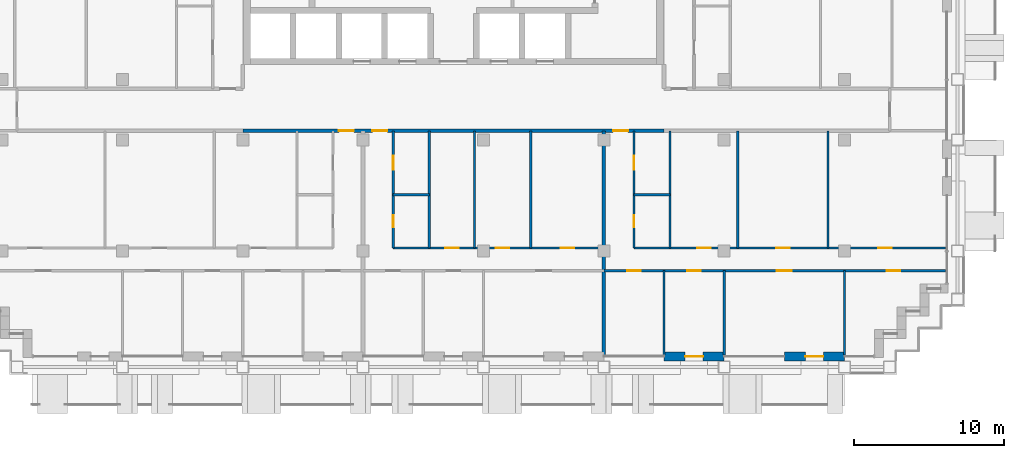
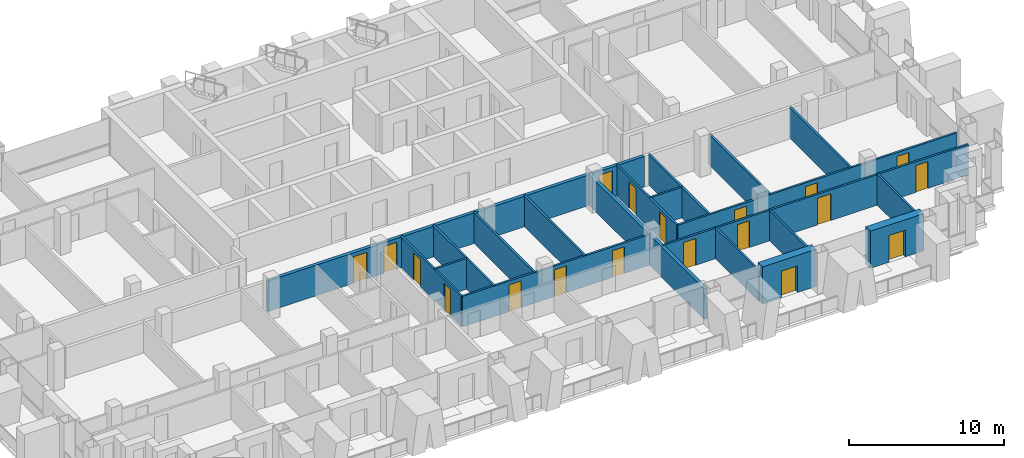
# One storey, part 9 of 16: 20 walls, 19 doors, 19 openings.
"""IFC4 building model written with IfcOpenShell, lengths in metres."""

import ifcopenshell
import ifcopenshell.guid

model = None  # the IFC model being written
_history = None  # IfcOwnerHistory: only IFC2X3 demands one
_inside = {}  # id of a spatial element -> (the spatial element, [elements in it])
_under = {}  # id of a project, library or spatial element -> (it, [spatial elements below it])
_declared = {}  # id of a project -> (the project, [libraries it declares])
_typed = {}  # id of a type object -> (the type object, [elements of that type])
_made_of = {}  # id of a material, layer set ... -> (it, [elements and type objects made of it])


def new_model(schema):
    """Start an empty IFC model of exactly this schema.

    Asked for "IFC4X3", IfcOpenShell would pick the latest addendum, in which some entities
    have other attributes; the version numbers below select the first issue.
    IFC2X3 requires an IfcOwnerHistory on every rooted entity: one is made here for all.
    """
    global model, _history
    if schema == "IFC4X3":
        model = ifcopenshell.file(schema_version=(4, 3, 0, 0))
    else:
        model = ifcopenshell.file(schema=schema)
    _inside.clear()
    _under.clear()
    _declared.clear()
    _typed.clear()
    _made_of.clear()
    _history = None
    if model.schema == "IFC2X3":
        org = make("IfcOrganization", Name="unknown")
        user = make(
            "IfcPersonAndOrganization",
            ThePerson=make("IfcPerson", FamilyName="unknown"),
            TheOrganization=org,
        )
        app = make(
            "IfcApplication",
            ApplicationDeveloper=org,
            Version="unknown",
            ApplicationFullName="unknown",
            ApplicationIdentifier="unknown",
        )
        _history = make(
            "IfcOwnerHistory",
            OwningUser=user,
            OwningApplication=app,
            ChangeAction="ADDED",
            CreationDate=0,
        )
    return model


def make(cls, **values):
    """One entity of the class cls with the attributes given. An attribute that is None is left unset."""
    return model.create_entity(
        cls, **{name: value for name, value in values.items() if value is not None}
    )


def rooted(cls, **values):
    """An entity with a GlobalId (a new one), such as an element, a storey or a relation."""
    return make(cls, GlobalId=ifcopenshell.guid.new(), OwnerHistory=_history, **values)


def si_unit(unit_type, name, prefix=None):
    """IfcSIUnit, for example si_unit("LENGTHUNIT", "METRE", prefix="MILLI")."""
    return make("IfcSIUnit", UnitType=unit_type, Prefix=prefix, Name=name)


def assignment(units):
    """IfcUnitAssignment: the units of a project."""
    return None if units is None else make("IfcUnitAssignment", Units=units)


def point(xyz):
    """IfcCartesianPoint."""
    return None if xyz is None else make("IfcCartesianPoint", Coordinates=xyz)


def direction(xyz):
    """IfcDirection."""
    return None if xyz is None else make("IfcDirection", DirectionRatios=xyz)


def frame(location, z_axis=None, x_axis=None):
    """IfcAxis2Placement3D, a coordinate frame: its origin and axes. An axis left out is left unset."""
    return make(
        "IfcAxis2Placement3D",
        Location=point(location),
        Axis=direction(z_axis),
        RefDirection=direction(x_axis),
    )


def frame_2d(location, x_axis=None):
    """IfcAxis2Placement2D, a coordinate frame in the plane: its origin and x axis."""
    return make(
        "IfcAxis2Placement2D", Location=point(location), RefDirection=direction(x_axis)
    )


def origin():
    """The frame at (0, 0, 0) with its axes left unset."""
    return frame((0.0, 0.0, 0.0))


def place(relative_to, where):
    """IfcLocalPlacement: puts the frame where relative to a parent placement (None: the world)."""
    return make(
        "IfcLocalPlacement", PlacementRelTo=relative_to, RelativePlacement=where
    )


def context(
    kind, dimensions, precision=None, world=None, true_north=None, identifier=None
):
    """IfcGeometricRepresentationContext, for example the 3D "Model" context."""
    return make(
        "IfcGeometricRepresentationContext",
        ContextIdentifier=identifier,
        ContextType=kind,
        CoordinateSpaceDimension=dimensions,
        Precision=precision,
        WorldCoordinateSystem=world,
        TrueNorth=true_north,
    )


def subcontext(parent, identifier, kind, view, scale=None):
    """IfcGeometricRepresentationSubContext, for example "Body" below "Model"."""
    return make(
        "IfcGeometricRepresentationSubContext",
        ContextIdentifier=identifier,
        ContextType=kind,
        ParentContext=parent,
        TargetScale=scale,
        TargetView=view,
    )


def project(units=None, contexts=None):
    """IfcProject with its units and contexts."""
    return rooted(
        "IfcProject",
        Name="project",
        RepresentationContexts=contexts,
        UnitsInContext=assignment(units),
    )


def spatial(cls, under=None, at=None, **own):
    """A site, building, storey or space (cls), placed at a placement, below another one or the project."""
    s = rooted(cls, ObjectPlacement=at, **own)
    if under is not None:
        _under.setdefault(under.id(), (under, []))[1].append(s)
    return s


def profile(cls, at=None, kind="AREA", **sizes):
    """A parametric profile (cls). Its sizes go by their IFC names, for example OverallWidth=200.0."""
    return make(cls, ProfileType=kind, Position=at, **sizes)


def rectangle(**sizes):
    """IfcRectangleProfileDef."""
    return profile("IfcRectangleProfileDef", **sizes)


def extrude(swept, where, along, depth):
    """IfcExtrudedAreaSolid: the profile swept, set in the frame where, extruded along a direction by depth."""
    return make(
        "IfcExtrudedAreaSolid",
        SweptArea=swept,
        Position=where,
        ExtrudedDirection=direction(along),
        Depth=depth,
    )


def shape(context_of_items, identifier, shape_type, items):
    """IfcShapeRepresentation: the items that make up one representation, for example the "Body"."""
    return make(
        "IfcShapeRepresentation",
        ContextOfItems=context_of_items,
        RepresentationIdentifier=identifier,
        RepresentationType=shape_type,
        Items=items,
    )


def material(Name=None, Category=None):
    """IfcMaterial."""
    return make("IfcMaterial", Name=Name, Category=Category)


def layer(
    of_material, thickness, ventilated=None, Name=None, Category=None, Priority=None
):
    """IfcMaterialLayer: one layer of a wall or slab, of a material (None: an air gap)."""
    return make(
        "IfcMaterialLayer",
        Material=of_material,
        LayerThickness=thickness,
        IsVentilated=ventilated,
        Name=Name,
        Category=Category,
        Priority=Priority,
    )


def layer_set(layers, Name=None):
    """IfcMaterialLayerSet."""
    return make("IfcMaterialLayerSet", MaterialLayers=layers, LayerSetName=Name)


def made_of(thing, what):
    """Note that an element or type object is made of a material, layer set ...; save() writes the relation."""
    if what is not None:
        _made_of.setdefault(what.id(), (what, []))[1].append(thing)
    return thing


def type_object(cls, material=None, **own):
    """A type object (cls), such as IfcWallType, which elements share."""
    return made_of(rooted(cls, **own), material)


def element(
    cls,
    number,
    at=None,
    inside=None,
    cuts=None,
    type_object=None,
    material=None,
    context=None,
    identifier="Body",
    shape_type=None,
    held_by="IfcProductDefinitionShape",
    body=None,
    shapes=None,
    **own,
):
    """One element of the class cls, such as IfcWall. Its Tag is "e" and its number.

    at: its placement. inside: the storey or other place that contains it. cuts: it is an
    opening in that element (IfcRelVoidsElement). A single representation is given by context,
    identifier, shape_type and body (its items); several are given by shapes. held_by: the class
    of the entity that holds the representations. save() writes the other relations.
    """
    e = rooted(cls, Tag="e%d" % number, ObjectPlacement=at, **own)
    if body is not None:
        shapes = [shape(context, identifier, shape_type, body)]
    if shapes is not None:
        e.Representation = make(held_by, Representations=shapes)
    if inside is not None:
        _inside.setdefault(inside.id(), (inside, []))[1].append(e)
    if cuts is not None:
        rooted(
            "IfcRelVoidsElement", RelatingBuildingElement=cuts, RelatedOpeningElement=e
        )
    if type_object is not None:
        _typed.setdefault(type_object.id(), (type_object, []))[1].append(e)
    return made_of(e, material)


def fill(opening, filler):
    """IfcRelFillsElement: the door or window that sits in an opening."""
    return rooted(
        "IfcRelFillsElement",
        RelatingOpeningElement=opening,
        RelatedBuildingElement=filler,
    )


def aggregate(whole, parts):
    """IfcRelAggregates: a whole, such as a stair, and the parts it consists of."""
    return rooted("IfcRelAggregates", RelatingObject=whole, RelatedObjects=parts)


def save(model, path):
    """Write the relations noted so far, then the file.

    IfcRelAggregates (storeys below a building ...), IfcRelContainedInSpatialStructure (elements
    in a storey), IfcRelDefinesByType, IfcRelAssociatesMaterial and IfcRelDeclares: one each for
    every whole, place, type object, material and project.
    """
    for whole, parts in _under.values():
        aggregate(whole, parts)
    for where, things in _inside.values():
        rooted(
            "IfcRelContainedInSpatialStructure",
            RelatedElements=things,
            RelatingStructure=where,
        )
    for kind, things in _typed.values():
        rooted("IfcRelDefinesByType", RelatedObjects=things, RelatingType=kind)
    for what, things in _made_of.values():
        rooted("IfcRelAssociatesMaterial", RelatedObjects=things, RelatingMaterial=what)
    for by, libraries in _declared.values():
        rooted("IfcRelDeclares", RelatingContext=by, RelatedDefinitions=libraries)
    model.write(path)


model = new_model("IFC4")

# Units and contexts
model_context = context("Model", 3, precision=1e-05, world=origin(), true_north=direction((0.0, 1.0)))
body_context = subcontext(model_context, "Body", "Model", "MODEL_VIEW")
ifc_project = project(units=[si_unit("LENGTHUNIT", "METRE"), si_unit("AREAUNIT", "SQUARE_METRE"), si_unit("VOLUMEUNIT", "CUBIC_METRE"), si_unit("PLANEANGLEUNIT", "RADIAN"), si_unit("MASSUNIT", "GRAM", prefix="KILO")], contexts=[model_context])

# Site, building, storey
site_placement = place(None, origin())
site = spatial("IfcSite", under=ifc_project, at=site_placement, CompositionType="ELEMENT")
building_placement = place(site_placement, origin())
building = spatial("IfcBuilding", under=site, at=building_placement, Name="Vidyagriha Tower", CompositionType="ELEMENT")
storey_placement = place(building_placement, frame((0.0, 0.0, 129.39990234375)))
storey = spatial("IfcBuildingStorey", under=building, at=storey_placement, Name="L33", CompositionType="ELEMENT", Elevation=129.39990234375)

# Wall, opening, door
ifc_material_1 = material(Name="Precast concrete C40/50 with brick facing", Category="concrete")
ifc_layer_1 = layer(ifc_material_1, 0.60009765625)
ifc_layer_set_1 = layer_set([ifc_layer_1], Name="Precast concrete C40/50 with brick facing")
wall_type_1 = type_object("IfcWallType", Name="Brick-faced precast wall 600", PredefinedType="STANDARD", material=ifc_layer_set_1)
wall_1_placement = place(storey_placement, frame((14.0, -16.39990234375, 0.0)))
wall_1 = element("IfcWall", 1, at=wall_1_placement, inside=storey, type_object=wall_type_1, Name="Brick door bay wall L33 R23.12", PredefinedType="STANDARD", context=body_context, shape_type="SweptSolid", body=[
    extrude(rectangle(XDim=4.0, YDim=0.60009765625, at=frame_2d((2.0, 0.0))), origin(), (0.0, 0.0, 1.0), 2.920166015625),
])
opening_1_placement = place(wall_1_placement, frame((1.39990234375, 0.0, 0.0)))
opening_1 = element("IfcOpeningElement", 2, at=opening_1_placement, cuts=wall_1, Name="Opening D33-72", PredefinedType="OPENING", context=body_context, shape_type="SweptSolid", body=[
    extrude(rectangle(XDim=1.199951171875, YDim=2.10009765625, at=frame_2d((0.60009765625, 1.050048828125))), frame((0.0, 0.31005859375, 0.0), z_axis=(0.0, -1.0, 0.0), x_axis=(1.0, 0.0, 0.0)), (0.0, 0.0, 1.0), 0.6201171875),
])
ifc_material_2 = material(Name="Aluminium framed glazed sliding door", Category="aluminium")
door_type_1 = type_object("IfcDoorType", Name="Balcony sliding door 1200x2100", OperationType="NOTDEFINED", PredefinedType="DOOR", material=ifc_material_2)
door_1_placement = place(opening_1_placement, origin())
door_1 = element("IfcDoor", 3, at=door_1_placement, inside=storey, type_object=door_type_1, Name="Door D33-72", OperationType="SLIDING_TO_LEFT", OverallHeight=2.10009765625, OverallWidth=1.199951171875, PredefinedType="DOOR", context=body_context, shape_type="SweptSolid", body=[
    extrude(rectangle(XDim=1.199951171875, YDim=2.10009765625, at=frame_2d((0.60009765625, 1.050048828125))), frame((0.0, 0.02490234375, 0.0), z_axis=(0.0, -1.0, 0.0), x_axis=(1.0, 0.0, 0.0)), (0.0, 0.0, 1.0), 0.050048828125),
])
fill(opening_1, door_1)

wall_2_placement = place(storey_placement, frame((22.0, -16.39990234375, 0.0)))
wall_2 = element("IfcWall", 4, at=wall_2_placement, inside=storey, type_object=wall_type_1, Name="Brick door bay wall L33 R23.14", PredefinedType="STANDARD", context=body_context, shape_type="SweptSolid", body=[
    extrude(rectangle(XDim=4.0, YDim=0.60009765625, at=frame_2d((2.0, 0.0))), origin(), (0.0, 0.0, 1.0), 2.920166015625),
])
opening_2_placement = place(wall_2_placement, frame((1.39990234375, 0.0, 0.0)))
opening_2 = element("IfcOpeningElement", 5, at=opening_2_placement, cuts=wall_2, Name="Opening D33-73", PredefinedType="OPENING", context=body_context, shape_type="SweptSolid", body=[
    extrude(rectangle(XDim=1.199951171875, YDim=2.10009765625, at=frame_2d((0.60009765625, 1.050048828125))), frame((0.0, 0.31005859375, 0.0), z_axis=(0.0, -1.0, 0.0), x_axis=(1.0, 0.0, 0.0)), (0.0, 0.0, 1.0), 0.6201171875),
])
door_2_placement = place(opening_2_placement, origin())
door_2 = element("IfcDoor", 6, at=door_2_placement, inside=storey, type_object=door_type_1, Name="Door D33-73", OperationType="SLIDING_TO_LEFT", OverallHeight=2.10009765625, OverallWidth=1.199951171875, PredefinedType="DOOR", context=body_context, shape_type="SweptSolid", body=[
    extrude(rectangle(XDim=1.199951171875, YDim=2.10009765625, at=frame_2d((0.60009765625, 1.050048828125))), frame((0.0, 0.02490234375, 0.0), z_axis=(0.0, -1.0, 0.0), x_axis=(1.0, 0.0, 0.0)), (0.0, 0.0, 1.0), 0.050048828125),
])
fill(opening_2, door_2)

# Wall, openings, doors
ifc_material_3 = material(Name="Fired clay brick masonry", Category="masonry")
ifc_layer_2 = layer(ifc_material_3, 0.25)
ifc_layer_set_2 = layer_set([ifc_layer_2], Name="Fired clay brick masonry")
wall_type_2 = type_object("IfcWallType", Name="Fired clay brick corridor wall 250", PredefinedType="PARTITIONING", material=ifc_layer_set_2)
wall_3_placement = place(storey_placement, frame((14.0, -1.39990234375, 0.0), z_axis=(0.0, 0.0, 1.0), x_axis=(-1.0, 0.0, 0.0)))
wall_3 = element("IfcWall", 7, at=wall_3_placement, inside=storey, type_object=wall_type_2, Name="Wall all-L33-w114", PredefinedType="PARTITIONING", context=body_context, shape_type="SweptSolid", body=[
    extrude(rectangle(XDim=28.0, YDim=0.25, at=frame_2d((14.0, 0.0))), origin(), (0.0, 0.0, 1.0), 2.400146484375),
])
opening_3_placement = place(wall_3_placement, frame((20.617919921875, 0.0, 0.0)))
opening_3 = element("IfcOpeningElement", 8, at=opening_3_placement, cuts=wall_3, Name="Opening D33-24", PredefinedType="OPENING", context=body_context, shape_type="SweptSolid", body=[
    extrude(rectangle(XDim=1.0, YDim=2.10009765625, at=frame_2d((0.5, 1.050048828125))), frame((0.0, 0.135009765625, 0.0), z_axis=(0.0, -1.0, 0.0), x_axis=(1.0, 0.0, 0.0)), (0.0, 0.0, 1.0), 0.27001953125),
])
opening_4_placement = place(wall_3_placement, frame((18.382080078125, 0.0, 0.0)))
opening_4 = element("IfcOpeningElement", 9, at=opening_4_placement, cuts=wall_3, Name="Opening D33-33", PredefinedType="OPENING", context=body_context, shape_type="SweptSolid", body=[
    extrude(rectangle(XDim=1.0, YDim=2.10009765625, at=frame_2d((0.5, 1.050048828125))), frame((0.0, 0.135009765625, 0.0), z_axis=(0.0, -1.0, 0.0), x_axis=(1.0, 0.0, 0.0)), (0.0, 0.0, 1.0), 0.27001953125),
])
opening_5_placement = place(wall_3_placement, frame((2.382080078125, 0.0, 0.0)))
opening_5 = element("IfcOpeningElement", 10, at=opening_5_placement, cuts=wall_3, Name="Opening D33-43", PredefinedType="OPENING", context=body_context, shape_type="SweptSolid", body=[
    extrude(rectangle(XDim=1.0, YDim=2.10009765625, at=frame_2d((0.5, 1.050048828125))), frame((0.0, 0.135009765625, 0.0), z_axis=(0.0, -1.0, 0.0), x_axis=(1.0, 0.0, 0.0)), (0.0, 0.0, 1.0), 0.27001953125),
])
ifc_material_4 = material(Name="Fire-rated timber door leaf EI 60", Category="wood")
door_type_2 = type_object("IfcDoorType", Name="Flat entrance fire door 1000x2100", OperationType="NOTDEFINED", PredefinedType="DOOR", material=ifc_material_4)
door_3_placement = place(opening_3_placement, origin())
door_3 = element("IfcDoor", 11, at=door_3_placement, inside=storey, type_object=door_type_2, Name="Door D33-24", OperationType="SINGLE_SWING_LEFT", OverallHeight=2.10009765625, OverallWidth=1.0, PredefinedType="DOOR", context=body_context, shape_type="SweptSolid", body=[
    extrude(rectangle(XDim=1.0, YDim=2.10009765625, at=frame_2d((0.5, 1.050048828125))), frame((0.0, 0.02490234375, 0.0), z_axis=(0.0, -1.0, 0.0), x_axis=(1.0, 0.0, 0.0)), (0.0, 0.0, 1.0), 0.050048828125),
])
fill(opening_3, door_3)
door_4_placement = place(opening_4_placement, origin())
door_4 = element("IfcDoor", 12, at=door_4_placement, inside=storey, type_object=door_type_2, Name="Door D33-33", OperationType="SINGLE_SWING_RIGHT", OverallHeight=2.10009765625, OverallWidth=1.0, PredefinedType="DOOR", context=body_context, shape_type="SweptSolid", body=[
    extrude(rectangle(XDim=1.0, YDim=2.10009765625, at=frame_2d((0.5, 1.050048828125))), frame((0.0, 0.02490234375, 0.0), z_axis=(0.0, -1.0, 0.0), x_axis=(1.0, 0.0, 0.0)), (0.0, 0.0, 1.0), 0.050048828125),
])
fill(opening_4, door_4)
door_5_placement = place(opening_5_placement, origin())
door_5 = element("IfcDoor", 13, at=door_5_placement, inside=storey, type_object=door_type_2, Name="Door D33-43", OperationType="SINGLE_SWING_RIGHT", OverallHeight=2.10009765625, OverallWidth=1.0, PredefinedType="DOOR", context=body_context, shape_type="SweptSolid", body=[
    extrude(rectangle(XDim=1.0, YDim=2.10009765625, at=frame_2d((0.5, 1.050048828125))), frame((0.0, 0.02490234375, 0.0), z_axis=(0.0, -1.0, 0.0), x_axis=(1.0, 0.0, 0.0)), (0.0, 0.0, 1.0), 0.050048828125),
])
fill(opening_5, door_5)

# Walls
ifc_material_5 = material(Name="Fired clay brick masonry", Category="masonry")
ifc_layer_3 = layer(ifc_material_5, 0.25)
ifc_layer_set_3 = layer_set([ifc_layer_3], Name="Fired clay brick masonry")
wall_type_3 = type_object("IfcWallType", Name="Fired clay brick demising wall 250", PredefinedType="PARTITIONING", material=ifc_layer_set_3)
wall_4_placement = place(storey_placement, frame((10.0, -1.39990234375, 0.0), z_axis=(0.0, 0.0, 1.0), x_axis=(0.0, -1.0, 0.0)))
element("IfcWall", 14, at=wall_4_placement, inside=storey, type_object=wall_type_3, Name="Wall all-L33-w062", PredefinedType="PARTITIONING", context=body_context, shape_type="SweptSolid", body=[
    extrude(rectangle(XDim=14.91015625, YDim=0.25, at=frame_2d((7.455078125, 0.0))), origin(), (0.0, 0.0, 1.0), 2.400146484375),
])
ifc_material_6 = material(Name="Gypsum board partition")
ifc_layer_4 = layer(ifc_material_6, 0.14990234375)
ifc_layer_set_4 = layer_set([ifc_layer_4], Name="Gypsum board partition")
wall_type_4 = type_object("IfcWallType", Name="Gypsum board partition 150", PredefinedType="PARTITIONING", material=ifc_layer_set_4)
wall_5_placement = place(storey_placement, frame((-1.60009765625, -5.64990234375, 0.0), z_axis=(0.0, 0.0, 1.0), x_axis=(-1.0, 0.0, 0.0)))
element("IfcWall", 15, at=wall_5_placement, inside=storey, type_object=wall_type_4, Name="Wall all-L33-w026", PredefinedType="PARTITIONING", context=body_context, shape_type="SweptSolid", body=[
    extrude(rectangle(XDim=2.39990234375, YDim=0.14990234375, at=frame_2d((1.199951171875, 0.0))), origin(), (0.0, 0.0, 1.0), 2.400146484375),
])
for number, where, z_axis, x_axis, name in (
    (16, (-1.60009765625, -1.39990234375, 0.0), (0.0, 0.0, 1.0), (0.0, -1.0, 0.0), "Wall all-L33-w027"),
    (17, (1.39990234375, -1.39990234375, 0.0), (0.0, 0.0, 1.0), (0.0, -1.0, 0.0), "Wall all-L33-w028"),
    (18, (5.14990234375, -1.39990234375, 0.0), (0.0, 0.0, 1.0), (0.0, -1.0, 0.0), "Wall all-L33-w029"),
):
    element("IfcWall", number, at=place(storey_placement, frame(where, z_axis=z_axis, x_axis=x_axis)), inside=storey, type_object=wall_type_4, Name=name, PredefinedType="PARTITIONING", context=body_context, shape_type="SweptSolid", body=[
        extrude(rectangle(XDim=7.800048828125, YDim=0.14990234375, at=frame_2d((3.89990234375, 0.0))), origin(), (0.0, 0.0, 1.0), 2.400146484375),
    ])

# Wall, openings, doors
wall_6_placement = place(storey_placement, frame((-4.0, -9.199951171875, 0.0)))
wall_6 = element("IfcWall", 19, at=wall_6_placement, inside=storey, type_object=wall_type_4, Name="Wall all-L33-w030", PredefinedType="PARTITIONING", context=body_context, shape_type="SweptSolid", body=[
    extrude(rectangle(XDim=14.0, YDim=0.14990234375, at=frame_2d((7.0, 0.0))), origin(), (0.0, 0.0, 1.0), 2.400146484375),
])
opening_6_placement = place(wall_6_placement, frame((3.449951171875, 0.0, 0.0)))
opening_6 = element("IfcOpeningElement", 20, at=opening_6_placement, cuts=wall_6, Name="Opening D33-27", PredefinedType="OPENING", context=body_context, shape_type="SweptSolid", body=[
    extrude(rectangle(XDim=0.89990234375, YDim=2.10009765625, at=frame_2d((0.449951171875, 1.050048828125))), frame((0.0, 0.0849609375, 0.0), z_axis=(0.0, -1.0, 0.0), x_axis=(1.0, 0.0, 0.0)), (0.0, 0.0, 1.0), 0.169921875),
])
opening_7_placement = place(wall_6_placement, frame((6.824951171875, 0.0, 0.0)))
opening_7 = element("IfcOpeningElement", 21, at=opening_7_placement, cuts=wall_6, Name="Opening D33-28", PredefinedType="OPENING", context=body_context, shape_type="SweptSolid", body=[
    extrude(rectangle(XDim=0.89990234375, YDim=2.10009765625, at=frame_2d((0.449951171875, 1.050048828125))), frame((0.0, 0.0849609375, 0.0), z_axis=(0.0, -1.0, 0.0), x_axis=(1.0, 0.0, 0.0)), (0.0, 0.0, 1.0), 0.169921875),
])
opening_8_placement = place(wall_6_placement, frame((11.125, 0.0, 0.0)))
opening_8 = element("IfcOpeningElement", 22, at=opening_8_placement, cuts=wall_6, Name="Opening D33-29", PredefinedType="OPENING", context=body_context, shape_type="SweptSolid", body=[
    extrude(rectangle(XDim=0.89990234375, YDim=2.10009765625, at=frame_2d((0.449951171875, 1.050048828125))), frame((0.0, 0.0849609375, 0.0), z_axis=(0.0, -1.0, 0.0), x_axis=(1.0, 0.0, 0.0)), (0.0, 0.0, 1.0), 0.169921875),
])
ifc_material_7 = material(Name="Timber door leaf", Category="wood")
door_type_3 = type_object("IfcDoorType", Name="Room door 900x2100", OperationType="NOTDEFINED", PredefinedType="DOOR", material=ifc_material_7)
door_6_placement = place(opening_6_placement, origin())
door_6 = element("IfcDoor", 23, at=door_6_placement, inside=storey, type_object=door_type_3, Name="Door D33-27", OperationType="SINGLE_SWING_RIGHT", OverallHeight=2.10009765625, OverallWidth=0.89990234375, PredefinedType="DOOR", context=body_context, shape_type="SweptSolid", body=[
    extrude(rectangle(XDim=0.89990234375, YDim=2.10009765625, at=frame_2d((0.449951171875, 1.050048828125))), frame((0.0, 0.02490234375, 0.0), z_axis=(0.0, -1.0, 0.0), x_axis=(1.0, 0.0, 0.0)), (0.0, 0.0, 1.0), 0.050048828125),
])
fill(opening_6, door_6)
door_7_placement = place(opening_7_placement, origin())
door_7 = element("IfcDoor", 24, at=door_7_placement, inside=storey, type_object=door_type_3, Name="Door D33-28", OperationType="SINGLE_SWING_RIGHT", OverallHeight=2.10009765625, OverallWidth=0.89990234375, PredefinedType="DOOR", context=body_context, shape_type="SweptSolid", body=[
    extrude(rectangle(XDim=0.89990234375, YDim=2.10009765625, at=frame_2d((0.449951171875, 1.050048828125))), frame((0.0, 0.02490234375, 0.0), z_axis=(0.0, -1.0, 0.0), x_axis=(1.0, 0.0, 0.0)), (0.0, 0.0, 1.0), 0.050048828125),
])
fill(opening_7, door_7)
door_8_placement = place(opening_8_placement, origin())
door_8 = element("IfcDoor", 25, at=door_8_placement, inside=storey, type_object=door_type_3, Name="Door D33-29", OperationType="SINGLE_SWING_LEFT", OverallHeight=2.10009765625, OverallWidth=0.89990234375, PredefinedType="DOOR", context=body_context, shape_type="SweptSolid", body=[
    extrude(rectangle(XDim=0.89990234375, YDim=2.10009765625, at=frame_2d((0.449951171875, 1.050048828125))), frame((0.0, 0.02490234375, 0.0), z_axis=(0.0, -1.0, 0.0), x_axis=(1.0, 0.0, 0.0)), (0.0, 0.0, 1.0), 0.050048828125),
])
fill(opening_8, door_8)

# Walls
wall_7_placement = place(storey_placement, frame((14.39990234375, -5.64990234375, 0.0), z_axis=(0.0, 0.0, 1.0), x_axis=(-1.0, 0.0, 0.0)))
element("IfcWall", 26, at=wall_7_placement, inside=storey, type_object=wall_type_4, Name="Wall all-L33-w045", PredefinedType="PARTITIONING", context=body_context, shape_type="SweptSolid", body=[
    extrude(rectangle(XDim=2.39990234375, YDim=0.14990234375, at=frame_2d((1.199951171875, 0.0))), origin(), (0.0, 0.0, 1.0), 2.400146484375),
])
for number, where, z_axis, x_axis, name in (
    (27, (14.39990234375, -1.39990234375, 0.0), (0.0, 0.0, 1.0), (0.0, -1.0, 0.0), "Wall all-L33-w046"),
    (28, (18.89990234375, -1.39990234375, 0.0), (0.0, 0.0, 1.0), (0.0, -1.0, 0.0), "Wall all-L33-w047"),
    (29, (24.89990234375, -1.39990234375, 0.0), (0.0, 0.0, 1.0), (0.0, -1.0, 0.0), "Wall all-L33-w048"),
):
    element("IfcWall", number, at=place(storey_placement, frame(where, z_axis=z_axis, x_axis=x_axis)), inside=storey, type_object=wall_type_4, Name=name, PredefinedType="PARTITIONING", context=body_context, shape_type="SweptSolid", body=[
        extrude(rectangle(XDim=7.800048828125, YDim=0.14990234375, at=frame_2d((3.89990234375, 0.0))), origin(), (0.0, 0.0, 1.0), 2.400146484375),
    ])

# Wall, openings, doors
wall_8_placement = place(storey_placement, frame((12.0, -9.199951171875, 0.0)))
wall_8 = element("IfcWall", 30, at=wall_8_placement, inside=storey, type_object=wall_type_4, Name="Wall all-L33-w049", PredefinedType="PARTITIONING", context=body_context, shape_type="SweptSolid", body=[
    extrude(rectangle(XDim=20.719970703125, YDim=0.14990234375, at=frame_2d((10.35986328125, 0.0))), origin(), (0.0, 0.0, 1.0), 2.400146484375),
])
opening_9_placement = place(wall_8_placement, frame((4.199951171875, 0.0, 0.0)))
opening_9 = element("IfcOpeningElement", 31, at=opening_9_placement, cuts=wall_8, Name="Opening D33-36", PredefinedType="OPENING", context=body_context, shape_type="SweptSolid", body=[
    extrude(rectangle(XDim=0.89990234375, YDim=2.10009765625, at=frame_2d((0.449951171875, 1.050048828125))), frame((0.0, 0.0849609375, 0.0), z_axis=(0.0, -1.0, 0.0), x_axis=(1.0, 0.0, 0.0)), (0.0, 0.0, 1.0), 0.169921875),
])
opening_10_placement = place(wall_8_placement, frame((9.449951171875, 0.0, 0.0)))
opening_10 = element("IfcOpeningElement", 32, at=opening_10_placement, cuts=wall_8, Name="Opening D33-37", PredefinedType="OPENING", context=body_context, shape_type="SweptSolid", body=[
    extrude(rectangle(XDim=0.89990234375, YDim=2.10009765625, at=frame_2d((0.449951171875, 1.050048828125))), frame((0.0, 0.0849609375, 0.0), z_axis=(0.0, -1.0, 0.0), x_axis=(1.0, 0.0, 0.0)), (0.0, 0.0, 1.0), 0.169921875),
])
opening_11_placement = place(wall_8_placement, frame((16.25, 0.0, 0.0)))
opening_11 = element("IfcOpeningElement", 33, at=opening_11_placement, cuts=wall_8, Name="Opening D33-38", PredefinedType="OPENING", context=body_context, shape_type="SweptSolid", body=[
    extrude(rectangle(XDim=0.89990234375, YDim=2.10009765625, at=frame_2d((0.449951171875, 1.050048828125))), frame((0.0, 0.0849609375, 0.0), z_axis=(0.0, -1.0, 0.0), x_axis=(1.0, 0.0, 0.0)), (0.0, 0.0, 1.0), 0.169921875),
])
door_9_placement = place(opening_9_placement, origin())
door_9 = element("IfcDoor", 34, at=door_9_placement, inside=storey, type_object=door_type_3, Name="Door D33-36", OperationType="SINGLE_SWING_LEFT", OverallHeight=2.10009765625, OverallWidth=0.89990234375, PredefinedType="DOOR", context=body_context, shape_type="SweptSolid", body=[
    extrude(rectangle(XDim=0.89990234375, YDim=2.10009765625, at=frame_2d((0.449951171875, 1.050048828125))), frame((0.0, 0.02490234375, 0.0), z_axis=(0.0, -1.0, 0.0), x_axis=(1.0, 0.0, 0.0)), (0.0, 0.0, 1.0), 0.050048828125),
])
fill(opening_9, door_9)
door_10_placement = place(opening_10_placement, origin())
door_10 = element("IfcDoor", 35, at=door_10_placement, inside=storey, type_object=door_type_3, Name="Door D33-37", OperationType="SINGLE_SWING_RIGHT", OverallHeight=2.10009765625, OverallWidth=0.89990234375, PredefinedType="DOOR", context=body_context, shape_type="SweptSolid", body=[
    extrude(rectangle(XDim=0.89990234375, YDim=2.10009765625, at=frame_2d((0.449951171875, 1.050048828125))), frame((0.0, 0.02490234375, 0.0), z_axis=(0.0, -1.0, 0.0), x_axis=(1.0, 0.0, 0.0)), (0.0, 0.0, 1.0), 0.050048828125),
])
fill(opening_10, door_10)
door_11_placement = place(opening_11_placement, origin())
door_11 = element("IfcDoor", 36, at=door_11_placement, inside=storey, type_object=door_type_3, Name="Door D33-38", OperationType="SINGLE_SWING_RIGHT", OverallHeight=2.10009765625, OverallWidth=0.89990234375, PredefinedType="DOOR", context=body_context, shape_type="SweptSolid", body=[
    extrude(rectangle(XDim=0.89990234375, YDim=2.10009765625, at=frame_2d((0.449951171875, 1.050048828125))), frame((0.0, 0.02490234375, 0.0), z_axis=(0.0, -1.0, 0.0), x_axis=(1.0, 0.0, 0.0)), (0.0, 0.0, 1.0), 0.050048828125),
])
fill(opening_11, door_11)

wall_9_placement = place(storey_placement, frame((32.719970703125, -10.699951171875, 0.0), z_axis=(0.0, 0.0, 1.0), x_axis=(-1.0, 0.0, 0.0)))
wall_9 = element("IfcWall", 37, at=wall_9_placement, inside=storey, type_object=wall_type_4, Name="Wall all-L33-w053", PredefinedType="PARTITIONING", context=body_context, shape_type="SweptSolid", body=[
    extrude(rectangle(XDim=22.719970703125, YDim=0.14990234375, at=frame_2d((11.35986328125, 0.0))), origin(), (0.0, 0.0, 1.0), 2.400146484375),
])
opening_12_placement = place(wall_9_placement, frame((20.27001953125, 0.0, 0.0)))
opening_12 = element("IfcOpeningElement", 38, at=opening_12_placement, cuts=wall_9, Name="Opening D33-39", PredefinedType="OPENING", context=body_context, shape_type="SweptSolid", body=[
    extrude(rectangle(XDim=0.89990234375, YDim=2.10009765625, at=frame_2d((0.449951171875, 1.050048828125))), frame((0.0, 0.0849609375, 0.0), z_axis=(0.0, -1.0, 0.0), x_axis=(1.0, 0.0, 0.0)), (0.0, 0.0, 1.0), 0.169921875),
])
opening_13_placement = place(wall_9_placement, frame((16.27001953125, 0.0, 0.0)))
opening_13 = element("IfcOpeningElement", 39, at=opening_13_placement, cuts=wall_9, Name="Opening D33-40", PredefinedType="OPENING", context=body_context, shape_type="SweptSolid", body=[
    extrude(rectangle(XDim=0.89990234375, YDim=2.10009765625, at=frame_2d((0.449951171875, 1.050048828125))), frame((0.0, 0.0849609375, 0.0), z_axis=(0.0, -1.0, 0.0), x_axis=(1.0, 0.0, 0.0)), (0.0, 0.0, 1.0), 0.169921875),
])
opening_14_placement = place(wall_9_placement, frame((10.219970703125, 0.0, 0.0)))
opening_14 = element("IfcOpeningElement", 40, at=opening_14_placement, cuts=wall_9, Name="Opening D33-41", PredefinedType="OPENING", context=body_context, shape_type="SweptSolid", body=[
    extrude(rectangle(XDim=1.0, YDim=2.10009765625, at=frame_2d((0.5, 1.050048828125))), frame((0.0, 0.0849609375, 0.0), z_axis=(0.0, -1.0, 0.0), x_axis=(1.0, 0.0, 0.0)), (0.0, 0.0, 1.0), 0.169921875),
])
opening_15_placement = place(wall_9_placement, frame((3.02001953125, 0.0, 0.0)))
opening_15 = element("IfcOpeningElement", 41, at=opening_15_placement, cuts=wall_9, Name="Opening D33-42", PredefinedType="OPENING", context=body_context, shape_type="SweptSolid", body=[
    extrude(rectangle(XDim=0.89990234375, YDim=2.10009765625, at=frame_2d((0.449951171875, 1.050048828125))), frame((0.0, 0.0849609375, 0.0), z_axis=(0.0, -1.0, 0.0), x_axis=(1.0, 0.0, 0.0)), (0.0, 0.0, 1.0), 0.169921875),
])
ifc_material_8 = material(Name="Timber door leaf", Category="wood")
door_type_4 = type_object("IfcDoorType", Name="Room door 1000x2100", OperationType="NOTDEFINED", PredefinedType="DOOR", material=ifc_material_8)
door_12_placement = place(opening_14_placement, origin())
door_12 = element("IfcDoor", 42, at=door_12_placement, inside=storey, type_object=door_type_4, Name="Door D33-41", OperationType="SINGLE_SWING_RIGHT", OverallHeight=2.10009765625, OverallWidth=1.0, PredefinedType="DOOR", context=body_context, shape_type="SweptSolid", body=[
    extrude(rectangle(XDim=1.0, YDim=2.10009765625, at=frame_2d((0.5, 1.050048828125))), frame((0.0, 0.02490234375, 0.0), z_axis=(0.0, -1.0, 0.0), x_axis=(1.0, 0.0, 0.0)), (0.0, 0.0, 1.0), 0.050048828125),
])
fill(opening_14, door_12)
door_13_placement = place(opening_12_placement, origin())
door_13 = element("IfcDoor", 43, at=door_13_placement, inside=storey, type_object=door_type_3, Name="Door D33-39", OperationType="SINGLE_SWING_RIGHT", OverallHeight=2.10009765625, OverallWidth=0.89990234375, PredefinedType="DOOR", context=body_context, shape_type="SweptSolid", body=[
    extrude(rectangle(XDim=0.89990234375, YDim=2.10009765625, at=frame_2d((0.449951171875, 1.050048828125))), frame((0.0, 0.02490234375, 0.0), z_axis=(0.0, -1.0, 0.0), x_axis=(1.0, 0.0, 0.0)), (0.0, 0.0, 1.0), 0.050048828125),
])
fill(opening_12, door_13)
door_14_placement = place(opening_13_placement, origin())
door_14 = element("IfcDoor", 44, at=door_14_placement, inside=storey, type_object=door_type_3, Name="Door D33-40", OperationType="SINGLE_SWING_RIGHT", OverallHeight=2.10009765625, OverallWidth=0.89990234375, PredefinedType="DOOR", context=body_context, shape_type="SweptSolid", body=[
    extrude(rectangle(XDim=0.89990234375, YDim=2.10009765625, at=frame_2d((0.449951171875, 1.050048828125))), frame((0.0, 0.02490234375, 0.0), z_axis=(0.0, -1.0, 0.0), x_axis=(1.0, 0.0, 0.0)), (0.0, 0.0, 1.0), 0.050048828125),
])
fill(opening_13, door_14)
door_15_placement = place(opening_15_placement, origin())
door_15 = element("IfcDoor", 45, at=door_15_placement, inside=storey, type_object=door_type_3, Name="Door D33-42", OperationType="SINGLE_SWING_RIGHT", OverallHeight=2.10009765625, OverallWidth=0.89990234375, PredefinedType="DOOR", context=body_context, shape_type="SweptSolid", body=[
    extrude(rectangle(XDim=0.89990234375, YDim=2.10009765625, at=frame_2d((0.449951171875, 1.050048828125))), frame((0.0, 0.02490234375, 0.0), z_axis=(0.0, -1.0, 0.0), x_axis=(1.0, 0.0, 0.0)), (0.0, 0.0, 1.0), 0.050048828125),
])
fill(opening_15, door_15)

# Walls
wall_10_placement = place(storey_placement, frame((14.0, -10.699951171875, 0.0), z_axis=(0.0, 0.0, 1.0), x_axis=(0.0, -1.0, 0.0)))
element("IfcWall", 46, at=wall_10_placement, inside=storey, type_object=wall_type_4, Name="Wall all-L33-w058", PredefinedType="PARTITIONING", context=body_context, shape_type="SweptSolid", body=[
    extrude(rectangle(XDim=5.62109375, YDim=0.14990234375, at=frame_2d((2.810546875, 0.0))), origin(), (0.0, 0.0, 1.0), 2.400146484375),
])
for number, where, z_axis, x_axis, name in (
    (47, (18.0, -10.699951171875, 0.0), (0.0, 0.0, 1.0), (0.0, -1.0, 0.0), "Wall all-L33-w059"),
    (48, (26.0, -10.699951171875, 0.0), (0.0, 0.0, 1.0), (0.0, -1.0, 0.0), "Wall all-L33-w060"),
):
    element("IfcWall", number, at=place(storey_placement, frame(where, z_axis=z_axis, x_axis=x_axis)), inside=storey, type_object=wall_type_4, Name=name, PredefinedType="PARTITIONING", context=body_context, shape_type="SweptSolid", body=[
        extrude(rectangle(XDim=5.610107421875, YDim=0.14990234375, at=frame_2d((2.80517578125, 0.0))), origin(), (0.0, 0.0, 1.0), 2.400146484375),
    ])

# Wall, openings, doors
ifc_material_9 = material(Name="Moisture resistant gypsum board partition")
ifc_layer_5 = layer(ifc_material_9, 0.14990234375)
ifc_layer_set_5 = layer_set([ifc_layer_5], Name="Moisture resistant gypsum board partition")
wall_type_5 = type_object("IfcWallType", Name="Gypsum board wet-area partition 150", PredefinedType="PARTITIONING", material=ifc_layer_set_5)
wall_11_placement = place(storey_placement, frame((-4.0, -1.39990234375, 0.0), z_axis=(0.0, 0.0, 1.0), x_axis=(0.0, -1.0, 0.0)))
wall_11 = element("IfcWall", 49, at=wall_11_placement, inside=storey, type_object=wall_type_5, Name="Wall all-L33-w023", PredefinedType="PARTITIONING", context=body_context, shape_type="SweptSolid", body=[
    extrude(rectangle(XDim=7.800048828125, YDim=0.14990234375, at=frame_2d((3.89990234375, 0.0))), origin(), (0.0, 0.0, 1.0), 2.400146484375),
])
opening_16_placement = place(wall_11_placement, frame((1.675048828125, 0.0, 0.0)))
opening_16 = element("IfcOpeningElement", 50, at=opening_16_placement, cuts=wall_11, Name="Opening D33-25", PredefinedType="OPENING", context=body_context, shape_type="SweptSolid", body=[
    extrude(rectangle(XDim=0.89990234375, YDim=2.10009765625, at=frame_2d((0.449951171875, 1.050048828125))), frame((0.0, 0.0849609375, 0.0), z_axis=(0.0, -1.0, 0.0), x_axis=(1.0, 0.0, 0.0)), (0.0, 0.0, 1.0), 0.169921875),
])
opening_17_placement = place(wall_11_placement, frame((5.625, 0.0, 0.0)))
opening_17 = element("IfcOpeningElement", 51, at=opening_17_placement, cuts=wall_11, Name="Opening D33-26", PredefinedType="OPENING", context=body_context, shape_type="SweptSolid", body=[
    extrude(rectangle(XDim=0.800048828125, YDim=2.10009765625, at=frame_2d((0.39990234375, 1.050048828125))), frame((0.0, 0.0849609375, 0.0), z_axis=(0.0, -1.0, 0.0), x_axis=(1.0, 0.0, 0.0)), (0.0, 0.0, 1.0), 0.169921875),
])
ifc_material_10 = material(Name="Timber door leaf", Category="wood")
door_type_5 = type_object("IfcDoorType", Name="Bathroom door 800x2100", OperationType="NOTDEFINED", PredefinedType="DOOR", material=ifc_material_10)
door_16_placement = place(opening_17_placement, origin())
door_16 = element("IfcDoor", 52, at=door_16_placement, inside=storey, type_object=door_type_5, Name="Door D33-26", OperationType="SINGLE_SWING_RIGHT", OverallHeight=2.10009765625, OverallWidth=0.800048828125, PredefinedType="DOOR", context=body_context, shape_type="SweptSolid", body=[
    extrude(rectangle(XDim=0.800048828125, YDim=2.10009765625, at=frame_2d((0.39990234375, 1.050048828125))), frame((0.0, 0.02490234375, 0.0), z_axis=(0.0, -1.0, 0.0), x_axis=(1.0, 0.0, 0.0)), (0.0, 0.0, 1.0), 0.050048828125),
])
fill(opening_17, door_16)
ifc_material_11 = material(Name="Timber door leaf", Category="wood")
door_type_6 = type_object("IfcDoorType", Name="Kitchen door 900x2100", OperationType="NOTDEFINED", PredefinedType="DOOR", material=ifc_material_11)
door_17_placement = place(opening_16_placement, origin())
door_17 = element("IfcDoor", 53, at=door_17_placement, inside=storey, type_object=door_type_6, Name="Door D33-25", OperationType="SINGLE_SWING_LEFT", OverallHeight=2.10009765625, OverallWidth=0.89990234375, PredefinedType="DOOR", context=body_context, shape_type="SweptSolid", body=[
    extrude(rectangle(XDim=0.89990234375, YDim=2.10009765625, at=frame_2d((0.449951171875, 1.050048828125))), frame((0.0, 0.02490234375, 0.0), z_axis=(0.0, -1.0, 0.0), x_axis=(1.0, 0.0, 0.0)), (0.0, 0.0, 1.0), 0.050048828125),
])
fill(opening_16, door_17)

wall_12_placement = place(storey_placement, frame((12.0, -1.39990234375, 0.0), z_axis=(0.0, 0.0, 1.0), x_axis=(0.0, -1.0, 0.0)))
wall_12 = element("IfcWall", 54, at=wall_12_placement, inside=storey, type_object=wall_type_5, Name="Wall all-L33-w042", PredefinedType="PARTITIONING", context=body_context, shape_type="SweptSolid", body=[
    extrude(rectangle(XDim=7.800048828125, YDim=0.14990234375, at=frame_2d((3.89990234375, 0.0))), origin(), (0.0, 0.0, 1.0), 2.400146484375),
])
opening_18_placement = place(wall_12_placement, frame((1.675048828125, 0.0, 0.0)))
opening_18 = element("IfcOpeningElement", 55, at=opening_18_placement, cuts=wall_12, Name="Opening D33-34", PredefinedType="OPENING", context=body_context, shape_type="SweptSolid", body=[
    extrude(rectangle(XDim=0.89990234375, YDim=2.10009765625, at=frame_2d((0.449951171875, 1.050048828125))), frame((0.0, 0.0849609375, 0.0), z_axis=(0.0, -1.0, 0.0), x_axis=(1.0, 0.0, 0.0)), (0.0, 0.0, 1.0), 0.169921875),
])
opening_19_placement = place(wall_12_placement, frame((5.625, 0.0, 0.0)))
opening_19 = element("IfcOpeningElement", 56, at=opening_19_placement, cuts=wall_12, Name="Opening D33-35", PredefinedType="OPENING", context=body_context, shape_type="SweptSolid", body=[
    extrude(rectangle(XDim=0.800048828125, YDim=2.10009765625, at=frame_2d((0.39990234375, 1.050048828125))), frame((0.0, 0.0849609375, 0.0), z_axis=(0.0, -1.0, 0.0), x_axis=(1.0, 0.0, 0.0)), (0.0, 0.0, 1.0), 0.169921875),
])
door_18_placement = place(opening_19_placement, origin())
door_18 = element("IfcDoor", 57, at=door_18_placement, inside=storey, type_object=door_type_5, Name="Door D33-35", OperationType="SINGLE_SWING_RIGHT", OverallHeight=2.10009765625, OverallWidth=0.800048828125, PredefinedType="DOOR", context=body_context, shape_type="SweptSolid", body=[
    extrude(rectangle(XDim=0.800048828125, YDim=2.10009765625, at=frame_2d((0.39990234375, 1.050048828125))), frame((0.0, 0.02490234375, 0.0), z_axis=(0.0, -1.0, 0.0), x_axis=(1.0, 0.0, 0.0)), (0.0, 0.0, 1.0), 0.050048828125),
])
fill(opening_19, door_18)
door_19_placement = place(opening_18_placement, origin())
door_19 = element("IfcDoor", 58, at=door_19_placement, inside=storey, type_object=door_type_6, Name="Door D33-34", OperationType="SINGLE_SWING_LEFT", OverallHeight=2.10009765625, OverallWidth=0.89990234375, PredefinedType="DOOR", context=body_context, shape_type="SweptSolid", body=[
    extrude(rectangle(XDim=0.89990234375, YDim=2.10009765625, at=frame_2d((0.449951171875, 1.050048828125))), frame((0.0, 0.02490234375, 0.0), z_axis=(0.0, -1.0, 0.0), x_axis=(1.0, 0.0, 0.0)), (0.0, 0.0, 1.0), 0.050048828125),
])
fill(opening_18, door_19)

save(model, "model.ifc")
